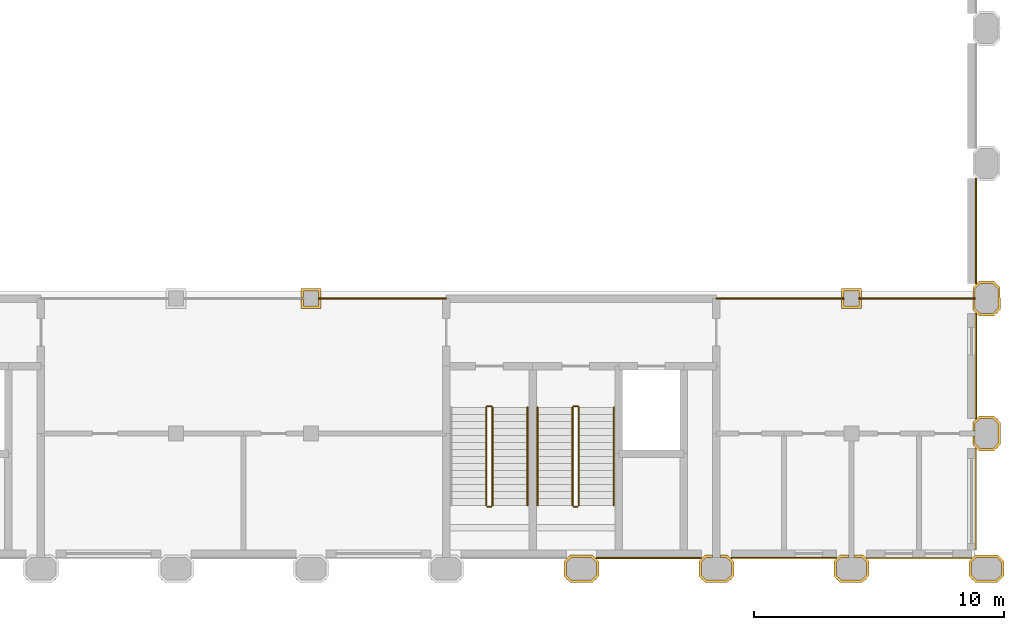
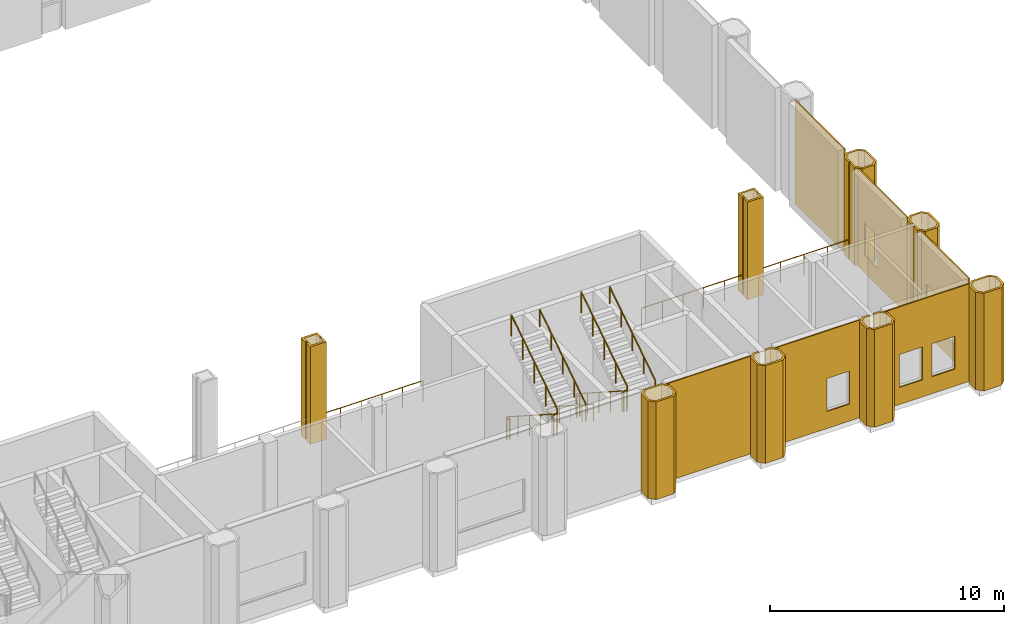
# One storey, part 25 of 27: 16 coverings, 14 railings.
"""IFC4 building model written with IfcOpenShell, lengths in metres."""

import ifcopenshell
import ifcopenshell.guid

model = None  # the IFC model being written
_history = None  # IfcOwnerHistory: only IFC2X3 demands one
_inside = {}  # id of a spatial element -> (the spatial element, [elements in it])
_under = {}  # id of a project, library or spatial element -> (it, [spatial elements below it])
_declared = {}  # id of a project -> (the project, [libraries it declares])
_typed = {}  # id of a type object -> (the type object, [elements of that type])
_made_of = {}  # id of a material, layer set ... -> (it, [elements and type objects made of it])


def new_model(schema):
    """Start an empty IFC model of exactly this schema.

    Asked for "IFC4X3", IfcOpenShell would pick the latest addendum, in which some entities
    have other attributes; the version numbers below select the first issue.
    IFC2X3 requires an IfcOwnerHistory on every rooted entity: one is made here for all.
    """
    global model, _history
    if schema == "IFC4X3":
        model = ifcopenshell.file(schema_version=(4, 3, 0, 0))
    else:
        model = ifcopenshell.file(schema=schema)
    _inside.clear()
    _under.clear()
    _declared.clear()
    _typed.clear()
    _made_of.clear()
    _history = None
    if model.schema == "IFC2X3":
        org = make("IfcOrganization", Name="unknown")
        user = make(
            "IfcPersonAndOrganization",
            ThePerson=make("IfcPerson", FamilyName="unknown"),
            TheOrganization=org,
        )
        app = make(
            "IfcApplication",
            ApplicationDeveloper=org,
            Version="unknown",
            ApplicationFullName="unknown",
            ApplicationIdentifier="unknown",
        )
        _history = make(
            "IfcOwnerHistory",
            OwningUser=user,
            OwningApplication=app,
            ChangeAction="ADDED",
            CreationDate=0,
        )
    return model


def make(cls, **values):
    """One entity of the class cls with the attributes given. An attribute that is None is left unset."""
    return model.create_entity(
        cls, **{name: value for name, value in values.items() if value is not None}
    )


def rooted(cls, **values):
    """An entity with a GlobalId (a new one), such as an element, a storey or a relation."""
    return make(cls, GlobalId=ifcopenshell.guid.new(), OwnerHistory=_history, **values)


def si_unit(unit_type, name, prefix=None):
    """IfcSIUnit, for example si_unit("LENGTHUNIT", "METRE", prefix="MILLI")."""
    return make("IfcSIUnit", UnitType=unit_type, Prefix=prefix, Name=name)


def assignment(units):
    """IfcUnitAssignment: the units of a project."""
    return None if units is None else make("IfcUnitAssignment", Units=units)


def point(xyz):
    """IfcCartesianPoint."""
    return None if xyz is None else make("IfcCartesianPoint", Coordinates=xyz)


def direction(xyz):
    """IfcDirection."""
    return None if xyz is None else make("IfcDirection", DirectionRatios=xyz)


def frame(location, z_axis=None, x_axis=None):
    """IfcAxis2Placement3D, a coordinate frame: its origin and axes. An axis left out is left unset."""
    return make(
        "IfcAxis2Placement3D",
        Location=point(location),
        Axis=direction(z_axis),
        RefDirection=direction(x_axis),
    )


def frame_2d(location, x_axis=None):
    """IfcAxis2Placement2D, a coordinate frame in the plane: its origin and x axis."""
    return make(
        "IfcAxis2Placement2D", Location=point(location), RefDirection=direction(x_axis)
    )


def origin():
    """The frame at (0, 0, 0) with its axes left unset."""
    return frame((0.0, 0.0, 0.0))


def origin_2d():
    """The frame at (0, 0) in the plane with its x axis left unset."""
    return frame_2d((0.0, 0.0))


def place(relative_to, where):
    """IfcLocalPlacement: puts the frame where relative to a parent placement (None: the world)."""
    return make(
        "IfcLocalPlacement", PlacementRelTo=relative_to, RelativePlacement=where
    )


def context(
    kind, dimensions, precision=None, world=None, true_north=None, identifier=None
):
    """IfcGeometricRepresentationContext, for example the 3D "Model" context."""
    return make(
        "IfcGeometricRepresentationContext",
        ContextIdentifier=identifier,
        ContextType=kind,
        CoordinateSpaceDimension=dimensions,
        Precision=precision,
        WorldCoordinateSystem=world,
        TrueNorth=true_north,
    )


def subcontext(parent, identifier, kind, view, scale=None):
    """IfcGeometricRepresentationSubContext, for example "Body" below "Model"."""
    return make(
        "IfcGeometricRepresentationSubContext",
        ContextIdentifier=identifier,
        ContextType=kind,
        ParentContext=parent,
        TargetScale=scale,
        TargetView=view,
    )


def project(units=None, contexts=None):
    """IfcProject with its units and contexts."""
    return rooted(
        "IfcProject",
        Name="project",
        RepresentationContexts=contexts,
        UnitsInContext=assignment(units),
    )


def spatial(cls, under=None, at=None, **own):
    """A site, building, storey or space (cls), placed at a placement, below another one or the project."""
    s = rooted(cls, ObjectPlacement=at, **own)
    if under is not None:
        _under.setdefault(under.id(), (under, []))[1].append(s)
    return s


def polyline(points):
    """IfcPolyline through the points."""
    return make("IfcPolyline", Points=[point(p) for p in points])


def profile(cls, at=None, kind="AREA", **sizes):
    """A parametric profile (cls). Its sizes go by their IFC names, for example OverallWidth=200.0."""
    return make(cls, ProfileType=kind, Position=at, **sizes)


def rectangle(**sizes):
    """IfcRectangleProfileDef."""
    return profile("IfcRectangleProfileDef", **sizes)


def circle(**sizes):
    """IfcCircleProfileDef."""
    return profile("IfcCircleProfileDef", **sizes)


def outline(outer, holes=None, kind="AREA"):
    """IfcArbitraryClosedProfileDef: a profile drawn as a closed curve; with holes, ...WithVoids."""
    if holes is None:
        return make("IfcArbitraryClosedProfileDef", ProfileType=kind, OuterCurve=outer)
    return make(
        "IfcArbitraryProfileDefWithVoids",
        ProfileType=kind,
        OuterCurve=outer,
        InnerCurves=holes,
    )


def extrude(swept, where, along, depth):
    """IfcExtrudedAreaSolid: the profile swept, set in the frame where, extruded along a direction by depth."""
    return make(
        "IfcExtrudedAreaSolid",
        SweptArea=swept,
        Position=where,
        ExtrudedDirection=direction(along),
        Depth=depth,
    )


def shape(context_of_items, identifier, shape_type, items):
    """IfcShapeRepresentation: the items that make up one representation, for example the "Body"."""
    return make(
        "IfcShapeRepresentation",
        ContextOfItems=context_of_items,
        RepresentationIdentifier=identifier,
        RepresentationType=shape_type,
        Items=items,
    )


def material(Name=None, Category=None):
    """IfcMaterial."""
    return make("IfcMaterial", Name=Name, Category=Category)


def layer(
    of_material, thickness, ventilated=None, Name=None, Category=None, Priority=None
):
    """IfcMaterialLayer: one layer of a wall or slab, of a material (None: an air gap)."""
    return make(
        "IfcMaterialLayer",
        Material=of_material,
        LayerThickness=thickness,
        IsVentilated=ventilated,
        Name=Name,
        Category=Category,
        Priority=Priority,
    )


def layer_set(layers, Name=None):
    """IfcMaterialLayerSet."""
    return make("IfcMaterialLayerSet", MaterialLayers=layers, LayerSetName=Name)


def made_of(thing, what):
    """Note that an element or type object is made of a material, layer set ...; save() writes the relation."""
    if what is not None:
        _made_of.setdefault(what.id(), (what, []))[1].append(thing)
    return thing


def type_object(cls, material=None, **own):
    """A type object (cls), such as IfcWallType, which elements share."""
    return made_of(rooted(cls, **own), material)


def element(
    cls,
    number,
    at=None,
    inside=None,
    cuts=None,
    type_object=None,
    material=None,
    context=None,
    identifier="Body",
    shape_type=None,
    held_by="IfcProductDefinitionShape",
    body=None,
    shapes=None,
    **own,
):
    """One element of the class cls, such as IfcWall. Its Tag is "e" and its number.

    at: its placement. inside: the storey or other place that contains it. cuts: it is an
    opening in that element (IfcRelVoidsElement). A single representation is given by context,
    identifier, shape_type and body (its items); several are given by shapes. held_by: the class
    of the entity that holds the representations. save() writes the other relations.
    """
    e = rooted(cls, Tag="e%d" % number, ObjectPlacement=at, **own)
    if body is not None:
        shapes = [shape(context, identifier, shape_type, body)]
    if shapes is not None:
        e.Representation = make(held_by, Representations=shapes)
    if inside is not None:
        _inside.setdefault(inside.id(), (inside, []))[1].append(e)
    if cuts is not None:
        rooted(
            "IfcRelVoidsElement", RelatingBuildingElement=cuts, RelatedOpeningElement=e
        )
    if type_object is not None:
        _typed.setdefault(type_object.id(), (type_object, []))[1].append(e)
    return made_of(e, material)


def aggregate(whole, parts):
    """IfcRelAggregates: a whole, such as a stair, and the parts it consists of."""
    return rooted("IfcRelAggregates", RelatingObject=whole, RelatedObjects=parts)


def save(model, path):
    """Write the relations noted so far, then the file.

    IfcRelAggregates (storeys below a building ...), IfcRelContainedInSpatialStructure (elements
    in a storey), IfcRelDefinesByType, IfcRelAssociatesMaterial and IfcRelDeclares: one each for
    every whole, place, type object, material and project.
    """
    for whole, parts in _under.values():
        aggregate(whole, parts)
    for where, things in _inside.values():
        rooted(
            "IfcRelContainedInSpatialStructure",
            RelatedElements=things,
            RelatingStructure=where,
        )
    for kind, things in _typed.values():
        rooted("IfcRelDefinesByType", RelatedObjects=things, RelatingType=kind)
    for what, things in _made_of.values():
        rooted("IfcRelAssociatesMaterial", RelatedObjects=things, RelatingMaterial=what)
    for by, libraries in _declared.values():
        rooted("IfcRelDeclares", RelatingContext=by, RelatedDefinitions=libraries)
    model.write(path)


model = new_model("IFC4")

# Units and contexts
model_context = context("Model", 3, precision=1e-05, world=origin(), true_north=direction((0.0, 1.0)))
body_context = subcontext(model_context, "Body", "Model", "MODEL_VIEW")
ifc_project = project(units=[si_unit("LENGTHUNIT", "METRE"), si_unit("AREAUNIT", "SQUARE_METRE"), si_unit("VOLUMEUNIT", "CUBIC_METRE"), si_unit("PLANEANGLEUNIT", "RADIAN"), si_unit("MASSUNIT", "GRAM", prefix="KILO")], contexts=[model_context])

# Site, building, storey
site_placement = place(None, origin())
site = spatial("IfcSite", under=ifc_project, at=site_placement, CompositionType="ELEMENT")
building_placement = place(site_placement, origin())
building = spatial("IfcBuilding", under=site, at=building_placement, Name="Tabaq Tower and Sports Hall", CompositionType="ELEMENT")
storey_placement = place(building_placement, frame((0.0, 0.0, 14.39990234375)))
storey = spatial("IfcBuildingStorey", under=building, at=storey_placement, Name="L02", CompositionType="ELEMENT", Elevation=14.39990234375)

# Coverings
ifc_material_1 = material(Name="Precast concrete C60/75", Category="concrete")
ifc_layer_1 = layer(ifc_material_1, 0.10009765625)
ifc_layer_set_1 = layer_set([ifc_layer_1], Name="Column cladding 100")
covering_type_1 = type_object("IfcCoveringType", Name="Column cladding 100", PredefinedType="CLADDING", material=ifc_layer_set_1)
covering_1_placement = place(storey_placement, origin())
element("IfcCovering", 1, at=covering_1_placement, inside=storey, type_object=covering_type_1, Name="Column cladding L02 HC-19C", PredefinedType="CLADDING", context=body_context, shape_type="SweptSolid", body=[
    extrude(outline(polyline([(97.599609375, 11.19970703125), (97.599609375, 10.84033203125), (97.500244140625, 10.84033203125), (97.500244140625, 11.100341796875), (96.899658203125, 11.100341796875), (96.899658203125, 10.84033203125), (96.80029296875, 10.84033203125), (96.80029296875, 11.19970703125), (97.599609375, 11.19970703125)])), origin(), (0.0, 0.0, 1.0), 5.10009765625),
])
covering_2_placement = place(storey_placement, origin())
element("IfcCovering", 2, at=covering_2_placement, inside=storey, type_object=covering_type_1, Name="Column cladding L02 HC-19C 2", PredefinedType="CLADDING", context=body_context, shape_type="SweptSolid", body=[
    extrude(outline(polyline([(97.599609375, 10.400390625), (96.80029296875, 10.400390625), (96.80029296875, 10.759765625), (96.899658203125, 10.759765625), (96.899658203125, 10.499755859375), (97.500244140625, 10.499755859375), (97.500244140625, 10.759765625), (97.599609375, 10.759765625), (97.599609375, 10.400390625)])), origin(), (0.0, 0.0, 1.0), 5.10009765625),
])
covering_3_placement = place(storey_placement, origin())
element("IfcCovering", 3, at=covering_3_placement, inside=storey, type_object=covering_type_1, Name="Column cladding L02 HC-21A", PredefinedType="CLADDING", context=body_context, shape_type="SweptSolid", body=[
    extrude(outline(polyline([(107.30029296875, -0.291259765625), (107.30029296875, 0.291259765625), (107.55859375, 0.5498046875), (108.44140625, 0.5498046875), (108.69970703125, 0.291259765625), (108.69970703125, -0.291259765625), (108.44140625, -0.5498046875), (107.55859375, -0.5498046875), (107.30029296875, -0.291259765625)]), holes=[polyline([(108.400146484375, -0.4501953125), (108.600341796875, -0.250244140625), (108.600341796875, 0.250244140625), (108.400146484375, 0.4501953125), (107.599853515625, 0.4501953125), (107.399658203125, 0.250244140625), (107.399658203125, -0.250244140625), (107.599853515625, -0.4501953125), (108.400146484375, -0.4501953125)])]), origin(), (0.0, 0.0, 1.0), 5.10009765625),
])
covering_4_placement = place(storey_placement, origin())
element("IfcCovering", 4, at=covering_4_placement, inside=storey, type_object=covering_type_1, Name="Column cladding L02 HC-22A", PredefinedType="CLADDING", context=body_context, shape_type="SweptSolid", body=[
    extrude(outline(polyline([(112.7001953125, 0.291259765625), (112.958740234375, 0.5498046875), (113.249755859375, 0.5498046875), (113.249755859375, 0.4501953125), (112.999755859375, 0.4501953125), (112.7998046875, 0.250244140625), (112.7998046875, -0.250244140625), (112.999755859375, -0.4501953125), (113.800048828125, -0.4501953125), (114.000244140625, -0.250244140625), (114.000244140625, 0.250244140625), (113.800048828125, 0.4501953125), (113.55029296875, 0.4501953125), (113.55029296875, 0.5498046875), (113.84130859375, 0.5498046875), (114.099609375, 0.291259765625), (114.099609375, -0.291259765625), (113.84130859375, -0.5498046875), (112.958740234375, -0.5498046875), (112.7001953125, -0.291259765625), (112.7001953125, 0.291259765625)])), origin(), (0.0, 0.0, 1.0), 5.10009765625),
])
covering_5_placement = place(storey_placement, origin())
element("IfcCovering", 5, at=covering_5_placement, inside=storey, type_object=covering_type_1, Name="Column cladding L02 HC-23A", PredefinedType="CLADDING", context=body_context, shape_type="SweptSolid", body=[
    extrude(outline(polyline([(118.100341796875, 0.291259765625), (118.358642578125, 0.5498046875), (118.69970703125, 0.5498046875), (118.69970703125, 0.4501953125), (118.39990234375, 0.4501953125), (118.19970703125, 0.250244140625), (118.19970703125, -0.250244140625), (118.39990234375, -0.4501953125), (119.2001953125, -0.4501953125), (119.400390625, -0.250244140625), (119.400390625, 0.250244140625), (119.2001953125, 0.4501953125), (118.900390625, 0.4501953125), (118.900390625, 0.5498046875), (119.2412109375, 0.5498046875), (119.499755859375, 0.291259765625), (119.499755859375, -0.291259765625), (119.2412109375, -0.5498046875), (118.358642578125, -0.5498046875), (118.100341796875, -0.291259765625), (118.100341796875, 0.291259765625)])), origin(), (0.0, 0.0, 1.0), 5.10009765625),
])
covering_6_placement = place(storey_placement, origin())
element("IfcCovering", 6, at=covering_6_placement, inside=storey, type_object=covering_type_1, Name="Column cladding L02 HC-23C", PredefinedType="CLADDING", context=body_context, shape_type="SweptSolid", body=[
    extrude(outline(polyline([(119.19970703125, 11.19970703125), (119.19970703125, 10.84033203125), (119.100341796875, 10.84033203125), (119.100341796875, 11.100341796875), (118.499755859375, 11.100341796875), (118.499755859375, 10.84033203125), (118.400390625, 10.84033203125), (118.400390625, 11.19970703125), (119.19970703125, 11.19970703125)])), origin(), (0.0, 0.0, 1.0), 5.10009765625),
])
covering_7_placement = place(storey_placement, origin())
element("IfcCovering", 7, at=covering_7_placement, inside=storey, type_object=covering_type_1, Name="Column cladding L02 HC-23C 2", PredefinedType="CLADDING", context=body_context, shape_type="SweptSolid", body=[
    extrude(outline(polyline([(119.19970703125, 10.400390625), (118.400390625, 10.400390625), (118.400390625, 10.759765625), (118.499755859375, 10.759765625), (118.499755859375, 10.499755859375), (119.100341796875, 10.499755859375), (119.100341796875, 10.759765625), (119.19970703125, 10.759765625), (119.19970703125, 10.400390625)])), origin(), (0.0, 0.0, 1.0), 5.10009765625),
])
covering_8_placement = place(storey_placement, origin())
element("IfcCovering", 8, at=covering_8_placement, inside=storey, type_object=covering_type_1, Name="Column cladding L02 HC-24A", PredefinedType="CLADDING", context=body_context, shape_type="SweptSolid", body=[
    extrude(outline(polyline([(123.500244140625, -0.291259765625), (123.500244140625, 0.291259765625), (123.7587890625, 0.5498046875), (124.641357421875, 0.5498046875), (124.899658203125, 0.291259765625), (124.899658203125, -0.291259765625), (124.641357421875, -0.5498046875), (123.7587890625, -0.5498046875), (123.500244140625, -0.291259765625)]), holes=[polyline([(124.60009765625, -0.4501953125), (124.80029296875, -0.250244140625), (124.80029296875, 0.250244140625), (124.60009765625, 0.4501953125), (123.7998046875, 0.4501953125), (123.599609375, 0.250244140625), (123.599609375, -0.250244140625), (123.7998046875, -0.4501953125), (124.60009765625, -0.4501953125)])]), origin(), (0.0, 0.0, 1.0), 5.10009765625),
])
covering_9_placement = place(storey_placement, origin())
element("IfcCovering", 9, at=covering_9_placement, inside=storey, type_object=covering_type_1, Name="Column cladding L02 HC-24B", PredefinedType="CLADDING", context=body_context, shape_type="SweptSolid", body=[
    extrude(outline(polyline([(123.90869140625, 4.7001953125), (123.650390625, 4.958740234375), (123.650390625, 5.2998046875), (123.749755859375, 5.2998046875), (123.749755859375, 4.999755859375), (123.949951171875, 4.7998046875), (124.4501953125, 4.7998046875), (124.650390625, 4.999755859375), (124.650390625, 5.800048828125), (124.4501953125, 6.000244140625), (123.949951171875, 6.000244140625), (123.749755859375, 5.800048828125), (123.749755859375, 5.500244140625), (123.650390625, 5.500244140625), (123.650390625, 5.84130859375), (123.90869140625, 6.099609375), (124.4912109375, 6.099609375), (124.749755859375, 5.84130859375), (124.749755859375, 4.958740234375), (124.4912109375, 4.7001953125), (123.90869140625, 4.7001953125)])), origin(), (0.0, 0.0, 1.0), 5.10009765625),
])
covering_10_placement = place(storey_placement, origin())
element("IfcCovering", 10, at=covering_10_placement, inside=storey, type_object=covering_type_1, Name="Column cladding L02 HC-24C", PredefinedType="CLADDING", context=body_context, shape_type="SweptSolid", body=[
    extrude(outline(polyline([(123.90869140625, 10.100341796875), (123.650390625, 10.358642578125), (123.650390625, 10.759765625), (123.749755859375, 10.759765625), (123.749755859375, 10.39990234375), (123.949951171875, 10.19970703125), (124.4501953125, 10.19970703125), (124.650390625, 10.39990234375), (124.650390625, 11.2001953125), (124.4501953125, 11.400390625), (123.949951171875, 11.400390625), (123.749755859375, 11.2001953125), (123.749755859375, 10.84033203125), (123.650390625, 10.84033203125), (123.650390625, 11.2412109375), (123.90869140625, 11.499755859375), (124.4912109375, 11.499755859375), (124.73974609375, 11.251220703125), (124.73974609375, 10.819580078125), (124.749755859375, 10.819580078125), (124.749755859375, 10.358642578125), (124.4912109375, 10.100341796875), (123.90869140625, 10.100341796875)])), origin(), (0.0, 0.0, 1.0), 5.10009765625),
])

# Railings
ifc_material_2 = material(Name="Stainless steel and glass balustrade", Category="steel")
railing_type_1 = type_object("IfcRailingType", Name="HALL GUARD 1100", PredefinedType="GUARDRAIL", material=ifc_material_2)
railing_1_placement = place(storey_placement, frame((104.199951171875, 6.449951171875, 0.18017578125)))
element("IfcRailing", 11, at=railing_1_placement, inside=storey, type_object=railing_type_1, Name="L02 ST-H3 stair guard 1", PredefinedType="GUARDRAIL", context=body_context, shape_type="SweptSolid", body=[
    extrude(circle(Radius=0.02392578125, at=origin_2d()), frame((0.0, 0.0, 1.076171875), z_axis=(0.0, -0.841171666519, 0.540768182723), x_axis=(1.0, 0.0, 0.0)), (0.0, 0.0, 1.0), 4.66015625),
    extrude(circle(Radius=0.02099609375, at=origin_2d()), origin(), (0.0, 0.0, 1.0), 1.052001953125),
    extrude(circle(Radius=0.02099609375, at=origin_2d()), frame((0.0, -0.97998046875, 0.6298828125)), (0.0, 0.0, 1.0), 1.052001953125),
    extrude(circle(Radius=0.02099609375, at=origin_2d()), frame((0.0, -1.9599609375, 1.260009765625)), (0.0, 0.0, 1.0), 1.052001953125),
    extrude(circle(Radius=0.02099609375, at=origin_2d()), frame((0.0, -2.93994140625, 1.89013671875)), (0.0, 0.0, 1.0), 1.052001953125),
    extrude(circle(Radius=0.02099609375, at=origin_2d()), frame((0.0, -3.919921875, 2.52001953125)), (0.0, 0.0, 1.0), 1.052001953125),
])
railing_2_placement = place(storey_placement, frame((104.25, 2.47998046875, 2.7001953125)))
element("IfcRailing", 12, at=railing_2_placement, inside=storey, type_object=railing_type_1, Name="L02 ST-H3 stair guard 2", PredefinedType="GUARDRAIL", context=body_context, shape_type="SweptSolid", body=[
    extrude(circle(Radius=0.02392578125, at=origin_2d()), frame((0.0, 0.0, 1.076171875), z_axis=(1.0, 0.0, 0.0), x_axis=(0.0, 1.0, 0.0)), (0.0, 0.0, 1.0), 0.14990234375),
    extrude(circle(Radius=0.02099609375, at=origin_2d()), origin(), (0.0, 0.0, 1.0), 1.052001953125),
    extrude(circle(Radius=0.02099609375, at=origin_2d()), frame((0.14990234375, 0.0, 0.0)), (0.0, 0.0, 1.0), 1.052001953125),
])
railing_3_placement = place(storey_placement, frame((104.449951171875, 2.530029296875, 2.880126953125)))
element("IfcRailing", 13, at=railing_3_placement, inside=storey, type_object=railing_type_1, Name="L02 ST-H3 stair guard 3", PredefinedType="GUARDRAIL", context=body_context, shape_type="SweptSolid", body=[
    extrude(circle(Radius=0.02392578125, at=origin_2d()), frame((0.0, 0.0, 1.076171875), z_axis=(0.0, 0.841171666519, 0.540768182723), x_axis=(-1.0, 0.0, 0.0)), (0.0, 0.0, 1.0), 4.66015625),
    extrude(circle(Radius=0.02099609375, at=origin_2d()), origin(), (0.0, 0.0, 1.0), 1.052001953125),
    extrude(circle(Radius=0.02099609375, at=origin_2d()), frame((0.0, 0.97998046875, 0.6298828125)), (0.0, 0.0, 1.0), 1.052001953125),
    extrude(circle(Radius=0.02099609375, at=origin_2d()), frame((0.0, 1.9599609375, 1.260009765625)), (0.0, 0.0, 1.0), 1.052001953125),
    extrude(circle(Radius=0.02099609375, at=origin_2d()), frame((0.0, 2.93994140625, 1.89013671875)), (0.0, 0.0, 1.0), 1.052001953125),
    extrude(circle(Radius=0.02099609375, at=origin_2d()), frame((0.0, 3.919921875, 2.52001953125)), (0.0, 0.0, 1.0), 1.052001953125),
])
railing_4_placement = place(storey_placement, frame((104.25, 6.5, 0.0)))
element("IfcRailing", 14, at=railing_4_placement, inside=storey, type_object=railing_type_1, Name="L02 ST-H3 stair guard 4", PredefinedType="GUARDRAIL", context=body_context, shape_type="SweptSolid", body=[
    extrude(circle(Radius=0.02392578125, at=origin_2d()), frame((0.0, 0.0, 1.076171875), z_axis=(1.0, 0.0, 0.0), x_axis=(0.0, 1.0, 0.0)), (0.0, 0.0, 1.0), 0.14990234375),
    extrude(circle(Radius=0.02099609375, at=origin_2d()), origin(), (0.0, 0.0, 1.0), 1.052001953125),
    extrude(circle(Radius=0.02099609375, at=origin_2d()), frame((0.14990234375, 0.0, 0.0)), (0.0, 0.0, 1.0), 1.052001953125),
])
railing_5_placement = place(storey_placement, frame((107.64990234375, 6.449951171875, 0.18017578125)))
element("IfcRailing", 15, at=railing_5_placement, inside=storey, type_object=railing_type_1, Name="L02 ST-H4 stair guard 1", PredefinedType="GUARDRAIL", context=body_context, shape_type="SweptSolid", body=[
    extrude(circle(Radius=0.02392578125, at=origin_2d()), frame((0.0, 0.0, 1.076171875), z_axis=(0.0, -0.841171666519, 0.540768182723), x_axis=(1.0, 0.0, 0.0)), (0.0, 0.0, 1.0), 4.66015625),
    extrude(circle(Radius=0.02099609375, at=origin_2d()), origin(), (0.0, 0.0, 1.0), 1.052001953125),
    extrude(circle(Radius=0.02099609375, at=origin_2d()), frame((0.0, -0.97998046875, 0.6298828125)), (0.0, 0.0, 1.0), 1.052001953125),
    extrude(circle(Radius=0.02099609375, at=origin_2d()), frame((0.0, -1.9599609375, 1.260009765625)), (0.0, 0.0, 1.0), 1.052001953125),
    extrude(circle(Radius=0.02099609375, at=origin_2d()), frame((0.0, -2.93994140625, 1.89013671875)), (0.0, 0.0, 1.0), 1.052001953125),
    extrude(circle(Radius=0.02099609375, at=origin_2d()), frame((0.0, -3.919921875, 2.52001953125)), (0.0, 0.0, 1.0), 1.052001953125),
])
railing_6_placement = place(storey_placement, frame((107.699951171875, 2.47998046875, 2.7001953125)))
element("IfcRailing", 16, at=railing_6_placement, inside=storey, type_object=railing_type_1, Name="L02 ST-H4 stair guard 2", PredefinedType="GUARDRAIL", context=body_context, shape_type="SweptSolid", body=[
    extrude(circle(Radius=0.02392578125, at=origin_2d()), frame((0.0, 0.0, 1.076171875), z_axis=(1.0, 0.0, 0.0), x_axis=(0.0, 1.0, 0.0)), (0.0, 0.0, 1.0), 0.150146484375),
    extrude(circle(Radius=0.02099609375, at=origin_2d()), origin(), (0.0, 0.0, 1.0), 1.052001953125),
    extrude(circle(Radius=0.02099609375, at=origin_2d()), frame((0.150146484375, 0.0, 0.0)), (0.0, 0.0, 1.0), 1.052001953125),
])
railing_7_placement = place(storey_placement, frame((107.89990234375, 2.530029296875, 2.880126953125)))
element("IfcRailing", 17, at=railing_7_placement, inside=storey, type_object=railing_type_1, Name="L02 ST-H4 stair guard 3", PredefinedType="GUARDRAIL", context=body_context, shape_type="SweptSolid", body=[
    extrude(circle(Radius=0.02392578125, at=origin_2d()), frame((0.0, 0.0, 1.076171875), z_axis=(0.0, 0.841171666519, 0.540768182723), x_axis=(-1.0, 0.0, 0.0)), (0.0, 0.0, 1.0), 4.66015625),
    extrude(circle(Radius=0.02099609375, at=origin_2d()), origin(), (0.0, 0.0, 1.0), 1.052001953125),
    extrude(circle(Radius=0.02099609375, at=origin_2d()), frame((0.0, 0.97998046875, 0.6298828125)), (0.0, 0.0, 1.0), 1.052001953125),
    extrude(circle(Radius=0.02099609375, at=origin_2d()), frame((0.0, 1.9599609375, 1.260009765625)), (0.0, 0.0, 1.0), 1.052001953125),
    extrude(circle(Radius=0.02099609375, at=origin_2d()), frame((0.0, 2.93994140625, 1.89013671875)), (0.0, 0.0, 1.0), 1.052001953125),
    extrude(circle(Radius=0.02099609375, at=origin_2d()), frame((0.0, 3.919921875, 2.52001953125)), (0.0, 0.0, 1.0), 1.052001953125),
])
railing_8_placement = place(storey_placement, frame((107.699951171875, 6.5, 0.0)))
element("IfcRailing", 18, at=railing_8_placement, inside=storey, type_object=railing_type_1, Name="L02 ST-H4 stair guard 4", PredefinedType="GUARDRAIL", context=body_context, shape_type="SweptSolid", body=[
    extrude(circle(Radius=0.02392578125, at=origin_2d()), frame((0.0, 0.0, 1.076171875), z_axis=(1.0, 0.0, 0.0), x_axis=(0.0, 1.0, 0.0)), (0.0, 0.0, 1.0), 0.150146484375),
    extrude(circle(Radius=0.02099609375, at=origin_2d()), origin(), (0.0, 0.0, 1.0), 1.052001953125),
    extrude(circle(Radius=0.02099609375, at=origin_2d()), frame((0.150146484375, 0.0, 0.0)), (0.0, 0.0, 1.0), 1.052001953125),
])
for number, where, name in (
    (19, (97.5, 10.800048828125, 0.0), "L02 gallery guard"),
    (20, (113.39990234375, 10.800048828125, 0.0), "L02 gallery guard"),
):
    element("IfcRailing", number, at=place(storey_placement, frame(where)), inside=storey, type_object=railing_type_1, Name=name, PredefinedType="GUARDRAIL", context=body_context, shape_type="SweptSolid", body=[
        extrude(circle(Radius=0.02392578125, at=origin_2d()), frame((0.0, 0.0, 1.076171875), z_axis=(1.0, 0.0, 0.0), x_axis=(0.0, 1.0, 0.0)), (0.0, 0.0, 1.0), 5.10009765625),
        extrude(circle(Radius=0.02099609375, at=origin_2d()), origin(), (0.0, 0.0, 1.0), 1.052001953125),
        extrude(circle(Radius=0.02099609375, at=origin_2d()), frame((1.02001953125, 0.0, 0.0)), (0.0, 0.0, 1.0), 1.052001953125),
        extrude(circle(Radius=0.02099609375, at=origin_2d()), frame((2.0400390625, 0.0, 0.0)), (0.0, 0.0, 1.0), 1.052001953125),
        extrude(circle(Radius=0.02099609375, at=origin_2d()), frame((3.06005859375, 0.0, 0.0)), (0.0, 0.0, 1.0), 1.052001953125),
        extrude(circle(Radius=0.02099609375, at=origin_2d()), frame((4.080078125, 0.0, 0.0)), (0.0, 0.0, 1.0), 1.052001953125),
        extrude(circle(Radius=0.02099609375, at=origin_2d()), frame((5.10009765625, 0.0, 0.0)), (0.0, 0.0, 1.0), 1.052001953125),
    ])
railing_9_placement = place(storey_placement, frame((119.10009765625, 10.800048828125, 0.0)))
element("IfcRailing", 21, at=railing_9_placement, inside=storey, type_object=railing_type_1, Name="L02 gallery guard", PredefinedType="GUARDRAIL", context=body_context, shape_type="SweptSolid", body=[
    extrude(circle(Radius=0.02392578125, at=origin_2d()), frame((0.0, 0.0, 1.076171875), z_axis=(1.0, 0.0, 0.0), x_axis=(0.0, 1.0, 0.0)), (0.0, 0.0, 1.0), 4.64990234375),
    extrude(circle(Radius=0.02099609375, at=origin_2d()), origin(), (0.0, 0.0, 1.0), 1.052001953125),
    extrude(circle(Radius=0.02099609375, at=origin_2d()), frame((1.16259765625, 0.0, 0.0)), (0.0, 0.0, 1.0), 1.052001953125),
    extrude(circle(Radius=0.02099609375, at=origin_2d()), frame((2.324951171875, 0.0, 0.0)), (0.0, 0.0, 1.0), 1.052001953125),
    extrude(circle(Radius=0.02099609375, at=origin_2d()), frame((3.4873046875, 0.0, 0.0)), (0.0, 0.0, 1.0), 1.052001953125),
    extrude(circle(Radius=0.02099609375, at=origin_2d()), frame((4.64990234375, 0.0, 0.0)), (0.0, 0.0, 1.0), 1.052001953125),
])
ifc_material_3 = material(Name="Stainless steel handrail", Category="steel")
railing_type_2 = type_object("IfcRailingType", Name="HALL HANDRAIL 900", PredefinedType="HANDRAIL", material=ifc_material_3)
railing_10_placement = place(storey_placement, frame((105.85009765625, 2.530029296875, 2.880126953125)))
element("IfcRailing", 22, at=railing_10_placement, inside=storey, type_object=railing_type_2, Name="L02 ST-H3 stair handrail 2", PredefinedType="HANDRAIL", context=body_context, shape_type="SweptSolid", body=[
    extrude(circle(Radius=0.02392578125, at=origin_2d()), frame((0.0, 0.0, 0.8759765625), z_axis=(0.0, 0.841171666519, 0.540768182723), x_axis=(-1.0, 0.0, 0.0)), (0.0, 0.0, 1.0), 4.66015625),
    extrude(circle(Radius=0.02099609375, at=origin_2d()), origin(), (0.0, 0.0, 1.0), 0.851806640625),
    extrude(circle(Radius=0.02099609375, at=origin_2d()), frame((0.0, 0.97998046875, 0.6298828125)), (0.0, 0.0, 1.0), 0.851806640625),
    extrude(circle(Radius=0.02099609375, at=origin_2d()), frame((0.0, 1.9599609375, 1.260009765625)), (0.0, 0.0, 1.0), 0.851806640625),
    extrude(circle(Radius=0.02099609375, at=origin_2d()), frame((0.0, 2.93994140625, 1.89013671875)), (0.0, 0.0, 1.0), 0.851806640625),
    extrude(circle(Radius=0.02099609375, at=origin_2d()), frame((0.0, 3.919921875, 2.52001953125)), (0.0, 0.0, 1.0), 0.851806640625),
])
railing_11_placement = place(storey_placement, frame((106.25, 6.449951171875, 0.18017578125)))
element("IfcRailing", 23, at=railing_11_placement, inside=storey, type_object=railing_type_2, Name="L02 ST-H4 stair handrail 1", PredefinedType="HANDRAIL", context=body_context, shape_type="SweptSolid", body=[
    extrude(circle(Radius=0.02392578125, at=origin_2d()), frame((0.0, 0.0, 0.8759765625), z_axis=(0.0, -0.841171666519, 0.540768182723), x_axis=(1.0, 0.0, 0.0)), (0.0, 0.0, 1.0), 4.66015625),
    extrude(circle(Radius=0.02099609375, at=origin_2d()), origin(), (0.0, 0.0, 1.0), 0.851806640625),
    extrude(circle(Radius=0.02099609375, at=origin_2d()), frame((0.0, -0.97998046875, 0.6298828125)), (0.0, 0.0, 1.0), 0.851806640625),
    extrude(circle(Radius=0.02099609375, at=origin_2d()), frame((0.0, -1.9599609375, 1.260009765625)), (0.0, 0.0, 1.0), 0.851806640625),
    extrude(circle(Radius=0.02099609375, at=origin_2d()), frame((0.0, -2.93994140625, 1.89013671875)), (0.0, 0.0, 1.0), 0.851806640625),
    extrude(circle(Radius=0.02099609375, at=origin_2d()), frame((0.0, -3.919921875, 2.52001953125)), (0.0, 0.0, 1.0), 0.851806640625),
])
railing_12_placement = place(storey_placement, frame((109.300048828125, 2.530029296875, 2.880126953125)))
element("IfcRailing", 24, at=railing_12_placement, inside=storey, type_object=railing_type_2, Name="L02 ST-H4 stair handrail 2", PredefinedType="HANDRAIL", context=body_context, shape_type="SweptSolid", body=[
    extrude(circle(Radius=0.02392578125, at=origin_2d()), frame((0.0, 0.0, 0.8759765625), z_axis=(0.0, 0.841171666519, 0.540768182723), x_axis=(-1.0, 0.0, 0.0)), (0.0, 0.0, 1.0), 4.66015625),
    extrude(circle(Radius=0.02099609375, at=origin_2d()), origin(), (0.0, 0.0, 1.0), 0.851806640625),
    extrude(circle(Radius=0.02099609375, at=origin_2d()), frame((0.0, 0.97998046875, 0.6298828125)), (0.0, 0.0, 1.0), 0.851806640625),
    extrude(circle(Radius=0.02099609375, at=origin_2d()), frame((0.0, 1.9599609375, 1.260009765625)), (0.0, 0.0, 1.0), 0.851806640625),
    extrude(circle(Radius=0.02099609375, at=origin_2d()), frame((0.0, 2.93994140625, 1.89013671875)), (0.0, 0.0, 1.0), 0.851806640625),
    extrude(circle(Radius=0.02099609375, at=origin_2d()), frame((0.0, 3.919921875, 2.52001953125)), (0.0, 0.0, 1.0), 0.851806640625),
])

# Coverings
ifc_material_4 = material(Name="Precast concrete C60/75", Category="concrete")
ifc_layer_2 = layer(ifc_material_4, 0.06005859375)
ifc_layer_set_2 = layer_set([ifc_layer_2], Name="White precast cladding panel 60 C60/75")
covering_type_2 = type_object("IfcCoveringType", Name="White precast cladding panel 60 C60/75", PredefinedType="CLADDING", material=ifc_layer_set_2)
covering_11_placement = place(storey_placement, frame((123.780029296875, 0.75, 0.0), z_axis=(0.0, 0.0, 1.0), x_axis=(0.0, 1.0, 0.0)))
element("IfcCovering", 25, at=covering_11_placement, inside=storey, type_object=covering_type_2, Name="White precast cladding panel L02 L02", PredefinedType="CLADDING", context=body_context, shape_type="SweptSolid", body=[
    extrude(outline(polyline([(0.0, 0.0), (4.050048828125, 0.0), (4.050048828125, 5.10009765625), (0.0, 5.10009765625), (0.0, 0.0)]), holes=[polyline([(0.239990234375, 0.89013671875), (0.239990234375, 2.610107421875), (3.659912109375, 2.610107421875), (3.659912109375, 0.89013671875), (0.239990234375, 0.89013671875)])]), frame((0.0, 0.030029296875, 0.0), z_axis=(0.0, -1.0, 0.0), x_axis=(1.0, 0.0, 0.0)), (0.0, 0.0, 1.0), 0.06005859375),
])
covering_12_placement = place(storey_placement, frame((123.780029296875, 6.0, 0.0), z_axis=(0.0, 0.0, 1.0), x_axis=(0.0, 1.0, 0.0)))
element("IfcCovering", 26, at=covering_12_placement, inside=storey, type_object=covering_type_2, Name="White precast cladding panel L02 L02", PredefinedType="CLADDING", context=body_context, shape_type="SweptSolid", body=[
    extrude(outline(polyline([(0.0, 0.0), (4.199951171875, 0.0), (4.199951171875, 5.10009765625), (0.0, 5.10009765625), (0.0, 0.0)]), holes=[polyline([(2.5400390625, 0.89013671875), (2.5400390625, 2.610107421875), (3.659912109375, 2.610107421875), (3.659912109375, 0.89013671875), (2.5400390625, 0.89013671875)])]), frame((0.0, 0.030029296875, 0.0), z_axis=(0.0, -1.0, 0.0), x_axis=(1.0, 0.0, 0.0)), (0.0, 0.0, 1.0), 0.06005859375),
])
covering_13_placement = place(storey_placement, frame((123.780029296875, 11.39990234375, 0.0), z_axis=(0.0, 0.0, 1.0), x_axis=(0.0, 1.0, 0.0)))
element("IfcCovering", 27, at=covering_13_placement, inside=storey, type_object=covering_type_2, Name="White precast cladding panel L02 L02", PredefinedType="CLADDING", context=body_context, shape_type="SweptSolid", body=[
    extrude(rectangle(XDim=4.2001953125, YDim=0.06005859375, at=frame_2d((2.10009765625, 0.0))), origin(), (0.0, 0.0, 1.0), 5.400146484375),
])
covering_14_placement = place(storey_placement, frame((108.60009765625, 0.419921875, 0.0), z_axis=(0.0, 0.0, 1.0), x_axis=(1.0, 0.0, 0.0)))
element("IfcCovering", 28, at=covering_14_placement, inside=storey, type_object=covering_type_2, Name="White precast cladding panel L02 L02", PredefinedType="CLADDING", context=body_context, shape_type="SweptSolid", body=[
    extrude(rectangle(XDim=4.199951171875, YDim=0.06005859375, at=frame_2d((2.10009765625, 0.0))), origin(), (0.0, 0.0, 1.0), 5.10009765625),
])
covering_15_placement = place(storey_placement, frame((114.0, 0.419921875, 0.0), z_axis=(0.0, 0.0, 1.0), x_axis=(1.0, 0.0, 0.0)))
element("IfcCovering", 29, at=covering_15_placement, inside=storey, type_object=covering_type_2, Name="White precast cladding panel L02 L02", PredefinedType="CLADDING", context=body_context, shape_type="SweptSolid", body=[
    extrude(outline(polyline([(0.0, 0.0), (4.199951171875, 0.0), (4.199951171875, 5.10009765625), (0.0, 5.10009765625), (0.0, 0.0)]), holes=[polyline([(2.5400390625, 0.89013671875), (2.5400390625, 2.610107421875), (3.659912109375, 2.610107421875), (3.659912109375, 0.89013671875), (2.5400390625, 0.89013671875)])]), frame((0.0, 0.030029296875, 0.0), z_axis=(0.0, -1.0, 0.0), x_axis=(1.0, 0.0, 0.0)), (0.0, 0.0, 1.0), 0.06005859375),
])
covering_16_placement = place(storey_placement, frame((119.39990234375, 0.419921875, 0.0), z_axis=(0.0, 0.0, 1.0), x_axis=(1.0, 0.0, 0.0)))
element("IfcCovering", 30, at=covering_16_placement, inside=storey, type_object=covering_type_2, Name="White precast cladding panel L02 L02", PredefinedType="CLADDING", context=body_context, shape_type="SweptSolid", body=[
    extrude(outline(polyline([(0.0, 0.0), (4.2001953125, 0.0), (4.2001953125, 5.10009765625), (0.0, 5.10009765625), (0.0, 0.0)]), holes=[polyline([(0.739990234375, 2.610107421875), (1.860107421875, 2.610107421875), (1.860107421875, 0.89013671875), (0.739990234375, 0.89013671875), (0.739990234375, 2.610107421875)]), polyline([(2.340087890625, 2.610107421875), (3.4599609375, 2.610107421875), (3.4599609375, 0.89013671875), (2.340087890625, 0.89013671875), (2.340087890625, 2.610107421875)])]), frame((0.0, 0.030029296875, 0.0), z_axis=(0.0, -1.0, 0.0), x_axis=(1.0, 0.0, 0.0)), (0.0, 0.0, 1.0), 0.06005859375),
])

save(model, "model.ifc")
